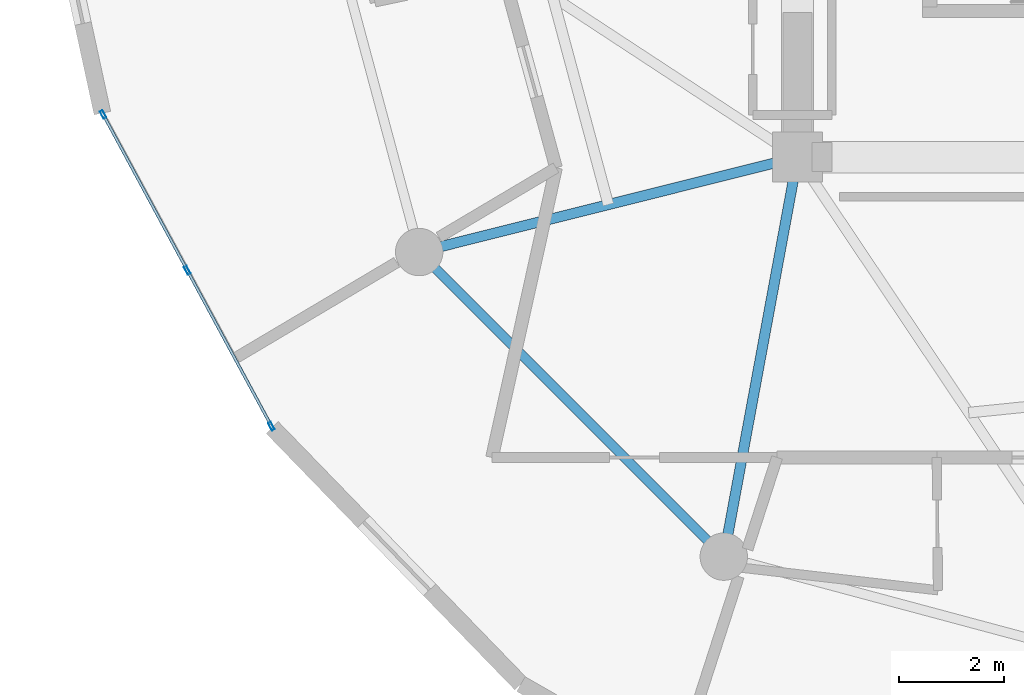
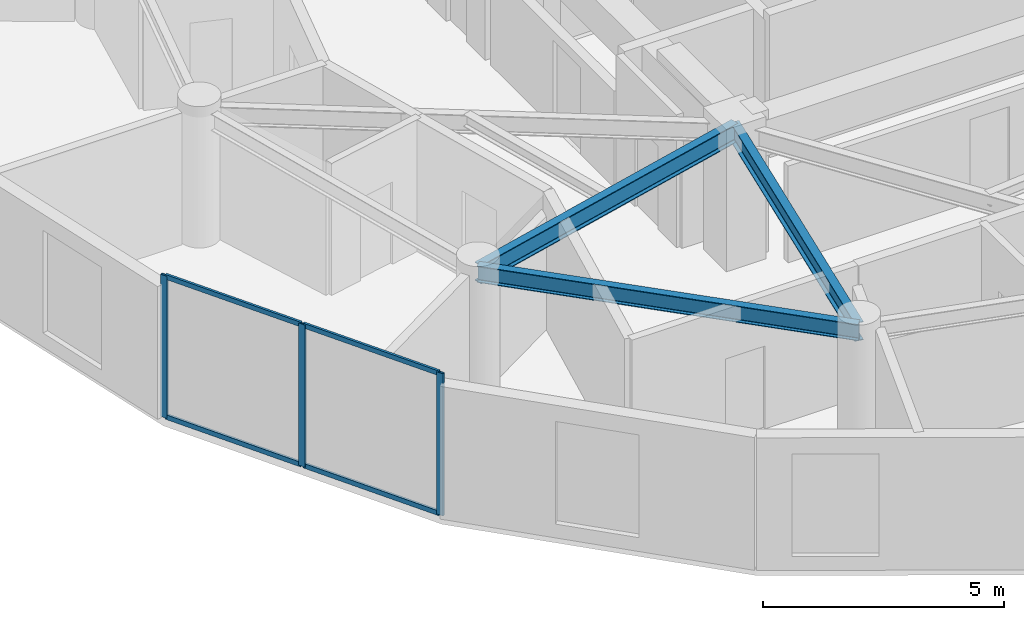
# One storey, part 3 of 23: 7 members, 3 beams, 1 element without a shape of its own.
"""IFC4 building model written with IfcOpenShell, lengths in metres."""

from ifc_helpers import new_model, si_unit, direction, frame, origin, origin_2d, place, context, subcontext, project, spatial, hollow_rectangle, i_section, extrude, source, transform, mapped, material, layer, layer_set, material_profile, profile_set, type_object, element, aggregate, save


model = new_model("IFC4")

# Units and contexts
model_context = context("Model", 3, precision=1e-05, world=origin(), true_north=direction((0.0, 1.0)))
body_context = subcontext(model_context, "Body", "Model", "MODEL_VIEW")
ifc_project = project(units=[si_unit("LENGTHUNIT", "METRE"), si_unit("AREAUNIT", "SQUARE_METRE"), si_unit("VOLUMEUNIT", "CUBIC_METRE"), si_unit("PLANEANGLEUNIT", "RADIAN"), si_unit("MASSUNIT", "GRAM", prefix="KILO")], contexts=[model_context])

# Site, building, storey
site_placement = place(None, origin())
site = spatial("IfcSite", under=ifc_project, at=site_placement, CompositionType="ELEMENT")
building_placement = place(site_placement, origin())
building = spatial("IfcBuilding", under=site, at=building_placement, Name="Solvirekh Grand Hotel", CompositionType="ELEMENT")
storey_placement = place(building_placement, frame((0.0, 0.0, 176.800048828125)))
storey = spatial("IfcBuildingStorey", under=building, at=storey_placement, Name="L45", CompositionType="ELEMENT", Elevation=176.800048828125)

# Beams
ifc_material_1 = material(Name="Steel S355", Category="steel")
ifc_material_profile_1 = material_profile(ifc_material_1, i_section(OverallWidth=0.194091796875, OverallDepth=0.468994140625, WebThickness=0.010986328125, FlangeThickness=0.01904296875, FilletRadius=0.012939453125, at=origin_2d()), Name="W460X106")
ifc_profile_set_1 = profile_set([ifc_material_profile_1], Name="Steel S355")
beam_type_1 = type_object("IfcBeamType", Name="Beam_Radial_W460H", PredefinedType="BEAM", material=ifc_profile_set_1)
beam_1_placement = place(storey_placement, frame((-6.5, -6.10009765625, 3.125), z_axis=(-0.970014367692, -0.243047580675, 0.0), x_axis=(0.243047580675, -0.970014367692, 0.0)))
element("IfcBeam", 1, at=beam_1_placement, inside=storey, type_object=beam_type_1, Name="L45 radial floor beam R08", PredefinedType="BEAM", context=body_context, shape_type="SweptSolid", body=[
    extrude(i_section(OverallWidth=0.194091796875, OverallDepth=0.468994140625, WebThickness=0.010986328125, FlangeThickness=0.01904296875, FilletRadius=0.012939453125, at=origin_2d()), origin(), (0.0, 0.0, 1.0), 7.4052734375),
])
beam_2_placement = place(storey_placement, frame((-6.5, -6.10009765625, 3.125), z_axis=(-0.181542769111, -0.983383049978, 0.0), x_axis=(0.983383049978, -0.181542769111, 0.0)))
element("IfcBeam", 2, at=beam_2_placement, inside=storey, type_object=beam_type_1, Name="L45 radial floor beam R09", PredefinedType="BEAM", context=body_context, shape_type="SweptSolid", body=[
    extrude(i_section(OverallWidth=0.194091796875, OverallDepth=0.468994140625, WebThickness=0.010986328125, FlangeThickness=0.01904296875, FilletRadius=0.012939453125, at=origin_2d()), origin(), (0.0, 0.0, 1.0), 7.711181640625),
])
ifc_material_profile_2 = material_profile(ifc_material_1, i_section(OverallWidth=0.180908203125, OverallDepth=0.4169921875, WebThickness=0.010009765625, FlangeThickness=0.01611328125, FilletRadius=0.011962890625, at=origin_2d()), Name="W410X85")
ifc_profile_set_2 = profile_set([ifc_material_profile_2], Name="Steel S355")
beam_type_2 = type_object("IfcBeamType", Name="Spandrel_Ring_W410", PredefinedType="SPANDREL", material=ifc_profile_set_2)
beam_3_placement = place(storey_placement, frame((-13.68310546875, -7.89990234375, 3.15185546875), z_axis=(0.707106781187, -0.707106781187, 0.0), x_axis=(0.707106781187, 0.707106781187, 0.0)))
element("IfcBeam", 3, at=beam_3_placement, inside=storey, type_object=beam_type_2, Name="L45 perimeter spandrel beam 8", PredefinedType="SPANDREL", context=body_context, shape_type="SweptSolid", body=[
    extrude(i_section(OverallWidth=0.180908203125, OverallDepth=0.4169921875, WebThickness=0.010009765625, FlangeThickness=0.01611328125, FilletRadius=0.011962890625, at=origin_2d()), origin(), (0.0, 0.0, 1.0), 8.1787109375),
])

# Curtain wall, members
ifc_material_2 = material(Name="Anodized Bronze Aluminium 6063-T6", Category="aluminium")
ifc_layer = layer(ifc_material_2, 0.159912109375)
ifc_layer_set = layer_set([ifc_layer], Name="Anodized Bronze Aluminium 6063-T6")
curtain_wall_type = type_object("IfcCurtainWallType", Name="CW_Sys4_HighZoneFlushBronzeCW", PredefinedType="NOTDEFINED", material=ifc_layer_set)
curtain_wall_placement = place(storey_placement, origin())
curtain_wall = element("IfcCurtainWall", 4, at=curtain_wall_placement, inside=storey, type_object=curtain_wall_type, Name="L45 unitised bronze-glass curtain wall CW-L45-C15", PredefinedType="NOTDEFINED")
ifc_material_profile_3 = material_profile(ifc_material_2, hollow_rectangle(XDim=0.054931640625, YDim=0.1201171875, WallThickness=0.00390625, at=origin_2d()), Name="ALU RHS 120X55X4")
ifc_profile_set_3 = profile_set([ifc_material_profile_3], Name="Anodized Bronze Aluminium 6063-T6")
member_type_1 = type_object("IfcMemberType", Name="CWTransom_Sys4", PredefinedType="USERDEFINED", material=ifc_profile_set_3)
shared_shape_1 = source(origin(), body_context, "Body", "SweptSolid", [
    extrude(hollow_rectangle(XDim=0.054931640625, YDim=0.1201171875, WallThickness=0.00390625, at=origin_2d()), origin(), (0.0, 0.0, 1.0), 3.302490234375),
])
member_1_placement = place(storey_placement, frame((-19.66943359375, -5.314697265625, 0.02734375), z_axis=(0.475113428707, -0.879924559188, 0.0), x_axis=(0.879924559188, 0.475113428707, 0.0)))
member_1 = element("IfcMember", 5, at=member_1_placement, type_object=member_type_1, Name="U04 transom 1.1", ObjectType="TRANSOM", PredefinedType="USERDEFINED", context=body_context, shape_type="MappedRepresentation", body=[
    mapped(shared_shape_1, transform((0.0, 0.0, 0.0), x_axis=(1.0, 0.0, 0.0), y_axis=(0.0, 1.0, 0.0), z_axis=(0.0, 0.0, 1.0), scale=1.0)),
])
member_2_placement = place(storey_placement, frame((-19.66943359375, -5.314697265625, 3.572509765625), z_axis=(0.475113428707, -0.879924559188, 0.0), x_axis=(0.879924559188, 0.475113428707, 0.0)))
member_2 = element("IfcMember", 6, at=member_2_placement, type_object=member_type_1, Name="U04 transom 1.2", ObjectType="TRANSOM", PredefinedType="USERDEFINED", context=body_context, shape_type="MappedRepresentation", body=[
    mapped(shared_shape_1, transform((0.0, 0.0, 0.0), x_axis=(1.0, 0.0, 0.0), y_axis=(0.0, 1.0, 0.0), z_axis=(0.0, 0.0, 1.0), scale=1.0)),
])
member_3_placement = place(storey_placement, frame((-18.07177734375, -8.2734375, 0.02734375), z_axis=(0.475201571573, -0.87987696093, 0.0), x_axis=(0.87987696093, 0.475201571573, 0.0)))
member_3 = element("IfcMember", 7, at=member_3_placement, type_object=member_type_1, Name="U04 transom 2.1", ObjectType="TRANSOM", PredefinedType="USERDEFINED", context=body_context, shape_type="MappedRepresentation", body=[
    mapped(shared_shape_1, transform((0.0, 0.0, 0.0), x_axis=(1.0, 0.0, 0.0), y_axis=(0.0, 1.0, 0.0), z_axis=(0.0, 0.0, 1.0), scale=1.0)),
])
member_4_placement = place(storey_placement, frame((-18.07177734375, -8.2734375, 3.572509765625), z_axis=(0.475201571573, -0.87987696093, 0.0), x_axis=(0.87987696093, 0.475201571573, 0.0)))
member_4 = element("IfcMember", 8, at=member_4_placement, type_object=member_type_1, Name="U04 transom 2.2", ObjectType="TRANSOM", PredefinedType="USERDEFINED", context=body_context, shape_type="MappedRepresentation", body=[
    mapped(shared_shape_1, transform((0.0, 0.0, 0.0), x_axis=(1.0, 0.0, 0.0), y_axis=(0.0, 1.0, 0.0), z_axis=(0.0, 0.0, 1.0), scale=1.0)),
])
ifc_material_profile_4 = material_profile(ifc_material_2, hollow_rectangle(XDim=0.06005859375, YDim=0.159912109375, WallThickness=0.0048828125, at=origin_2d()), Name="ALU RHS 160X60X5")
ifc_profile_set_4 = profile_set([ifc_material_profile_4], Name="Anodized Bronze Aluminium 6063-T6")
member_type_2 = type_object("IfcMemberType", Name="CWMullion_Sys4", PredefinedType="MULLION", material=ifc_profile_set_4)
shared_shape_2 = source(origin(), body_context, "Body", "SweptSolid", [
    extrude(hollow_rectangle(XDim=0.06005859375, YDim=0.159912109375, WallThickness=0.0048828125, at=origin_2d()), origin(), (0.0, 0.0, 1.0), 3.599853515625),
])
member_5_placement = place(storey_placement, frame((-19.683837890625, -5.288330078125, 0.0), z_axis=(0.0, 0.0, 1.0), x_axis=(0.879893073373, 0.475171736775, 0.0)))
member_5 = element("IfcMember", 9, at=member_5_placement, type_object=member_type_2, Name="U04 mullion 1", PredefinedType="MULLION", context=body_context, shape_type="MappedRepresentation", body=[
    mapped(shared_shape_2, transform((0.0, 0.0, 0.0), x_axis=(1.0, 0.0, 0.0), y_axis=(0.0, 1.0, 0.0), z_axis=(0.0, 0.0, 1.0), scale=1.0)),
])
member_6_placement = place(storey_placement, frame((-18.0859375, -8.2470703125, 0.0), z_axis=(0.0, 0.0, 1.0), x_axis=(0.879893073373, 0.475171736775, 0.0)))
member_6 = element("IfcMember", 10, at=member_6_placement, type_object=member_type_2, Name="U04 mullion 2", PredefinedType="MULLION", context=body_context, shape_type="MappedRepresentation", body=[
    mapped(shared_shape_2, transform((0.0, 0.0, 0.0), x_axis=(1.0, 0.0, 0.0), y_axis=(0.0, 1.0, 0.0), z_axis=(0.0, 0.0, 1.0), scale=1.0)),
])
member_7_placement = place(storey_placement, frame((-16.48828125, -11.20556640625, 0.0), z_axis=(0.0, 0.0, 1.0), x_axis=(0.879893073373, 0.475171736775, 0.0)))
member_7 = element("IfcMember", 11, at=member_7_placement, type_object=member_type_2, Name="U04 mullion 3", PredefinedType="MULLION", context=body_context, shape_type="MappedRepresentation", body=[
    mapped(shared_shape_2, transform((0.0, 0.0, 0.0), x_axis=(1.0, 0.0, 0.0), y_axis=(0.0, 1.0, 0.0), z_axis=(0.0, 0.0, 1.0), scale=1.0)),
])
aggregate(curtain_wall, [member_5, member_6, member_7, member_1, member_2, member_3, member_4])

save(model, "model.ifc")
